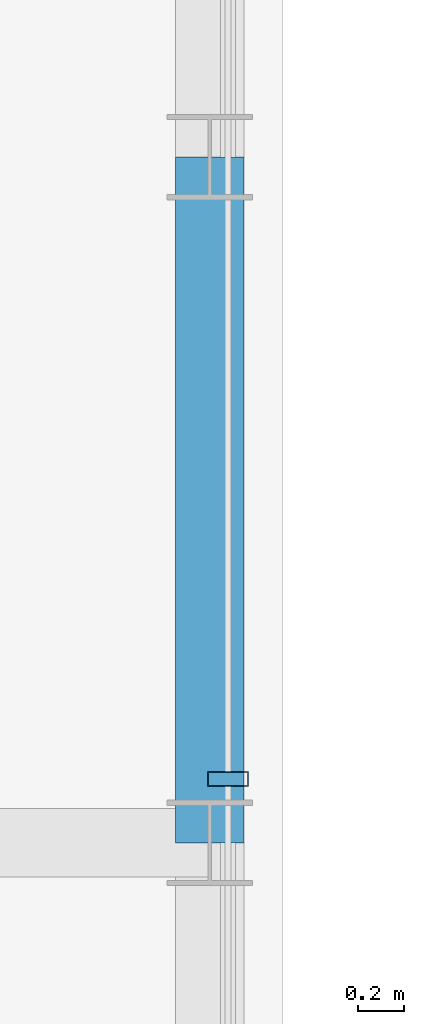
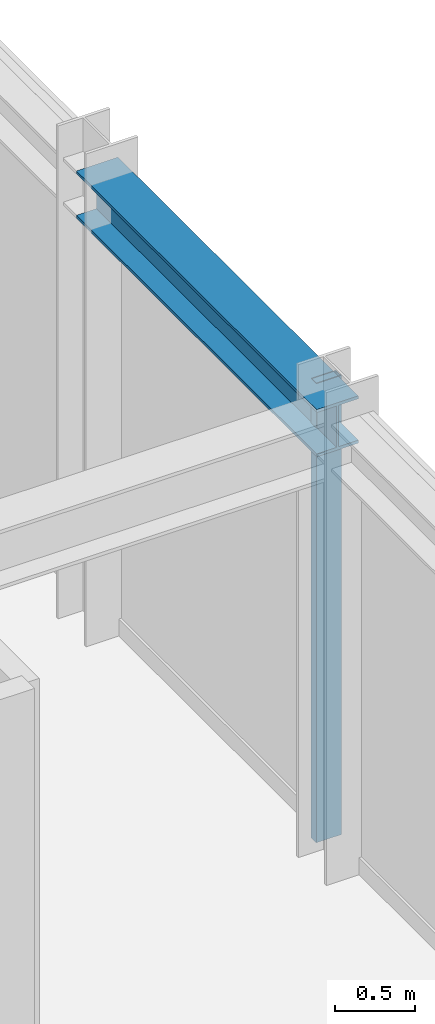
# One storey, part 15 of 31: 1 beam, 1 member, 1 element without a shape of its own.
"""IFC4 building model written with IfcOpenShell, lengths in metres."""

from ifc_helpers import new_model, si_unit, direction, frame, origin, origin_2d, place, context, subcontext, project, spatial, hollow_rectangle, i_section, extrude, source, transform, mapped, material, material_profile, profile_set, type_object, element, aggregate, save


model = new_model("IFC4")

# Units and contexts
model_context = context("Model", 3, precision=1e-05, world=origin(), true_north=direction((0.0, 1.0)))
body_context = subcontext(model_context, "Body", "Model", "MODEL_VIEW")
ifc_project = project(units=[si_unit("LENGTHUNIT", "METRE"), si_unit("AREAUNIT", "SQUARE_METRE"), si_unit("VOLUMEUNIT", "CUBIC_METRE"), si_unit("PLANEANGLEUNIT", "RADIAN"), si_unit("MASSUNIT", "GRAM", prefix="KILO")], contexts=[model_context])

# Site, building, storey
site_placement = place(None, origin())
site = spatial("IfcSite", under=ifc_project, at=site_placement, CompositionType="ELEMENT")
building_placement = place(site_placement, origin())
building = spatial("IfcBuilding", under=site, at=building_placement, Name="Nahalor Promenade Grand Hotel", CompositionType="ELEMENT")
storey_placement = place(building_placement, frame((0.0, 0.0, 327.14990234375)))
storey = spatial("IfcBuildingStorey", under=building, at=storey_placement, Name="L84", CompositionType="ELEMENT", Elevation=327.14990234375)

# Beam
ifc_material_1 = material(Name="Steel S355JR", Category="steel")
ifc_material_profile_1 = material_profile(ifc_material_1, i_section(OverallWidth=0.3, OverallDepth=0.36, WebThickness=0.0125, FlangeThickness=0.0225, at=origin_2d()), Name="HEB 360")
ifc_profile_set_1 = profile_set([ifc_material_profile_1], Name="Steel S355JR")
beam_type = type_object("IfcBeamType", Name="Beam-Spandrel-HEB360", PredefinedType="SPANDREL", material=ifc_profile_set_1)
shared_shape_1 = source(origin(), body_context, "Body", "SweptSolid", [
    extrude(i_section(OverallWidth=0.3, OverallDepth=0.36, WebThickness=0.0125, FlangeThickness=0.0225, at=origin_2d()), origin(), (0.0, 0.0, 1.0), 3.0),
])
beam_placement = place(storey_placement, frame((22.47998046875, 5.39990234375, 3.320068359375), z_axis=(0.0, 1.0, 0.0), x_axis=(-1.0, 0.0, 0.0)))
element("IfcBeam", 1, at=beam_placement, inside=storey, type_object=beam_type, Name="BM-L84-SP-E-3", PredefinedType="SPANDREL", context=body_context, shape_type="MappedRepresentation", body=[
    mapped(shared_shape_1, transform((0.0, 0.0, 0.0), scale=1.0)),
])

# Curtain wall, member
ifc_material_2 = material(Name="Anodised Bronze Aluminium EN AW-6063 T6", Category="aluminium")
curtain_wall_type = type_object("IfcCurtainWallType", Name="CW2 Typical Hotel Flush Bronze Unitised Curtain Wall", PredefinedType="USERDEFINED", material=ifc_material_2)
curtain_wall_placement = place(storey_placement, origin())
curtain_wall = element("IfcCurtainWall", 2, at=curtain_wall_placement, inside=storey, type_object=curtain_wall_type, Name="L84 Curtain Wall CW-L84-E-3", ObjectType="UNITISED_CURTAIN_WALL", PredefinedType="USERDEFINED")
ifc_material_profile_2 = material_profile(ifc_material_2, hollow_rectangle(XDim=0.065, YDim=0.18, WallThickness=0.004, at=origin_2d()), Name="CWM 65x180x4")
ifc_profile_set_2 = profile_set([ifc_material_profile_2], Name="Anodised Bronze Aluminium EN AW-6063 T6")
member_type = type_object("IfcMemberType", Name="CWM2 Typical Bronze Mullion 65x180", PredefinedType="MULLION", material=ifc_profile_set_2)
shared_shape_2 = source(origin(), body_context, "Body", "SweptSolid", [
    extrude(hollow_rectangle(XDim=0.065, YDim=0.18, WallThickness=0.004, at=origin_2d()), origin(), (0.0, 0.0, 1.0), 3.5),
])
member_placement = place(storey_placement, frame((22.56005859375, 5.679931640625, 0.0), z_axis=(0.0, 0.0, 1.0), x_axis=(0.0, 1.0, 0.0)))
member = element("IfcMember", 3, at=member_placement, type_object=member_type, Name="CW-L84-E-3 Mullion 1", PredefinedType="MULLION", context=body_context, shape_type="MappedRepresentation", body=[
    mapped(shared_shape_2, transform((0.0, 0.0, 0.0), scale=1.0)),
])
aggregate(curtain_wall, [member])

save(model, "model.ifc")
